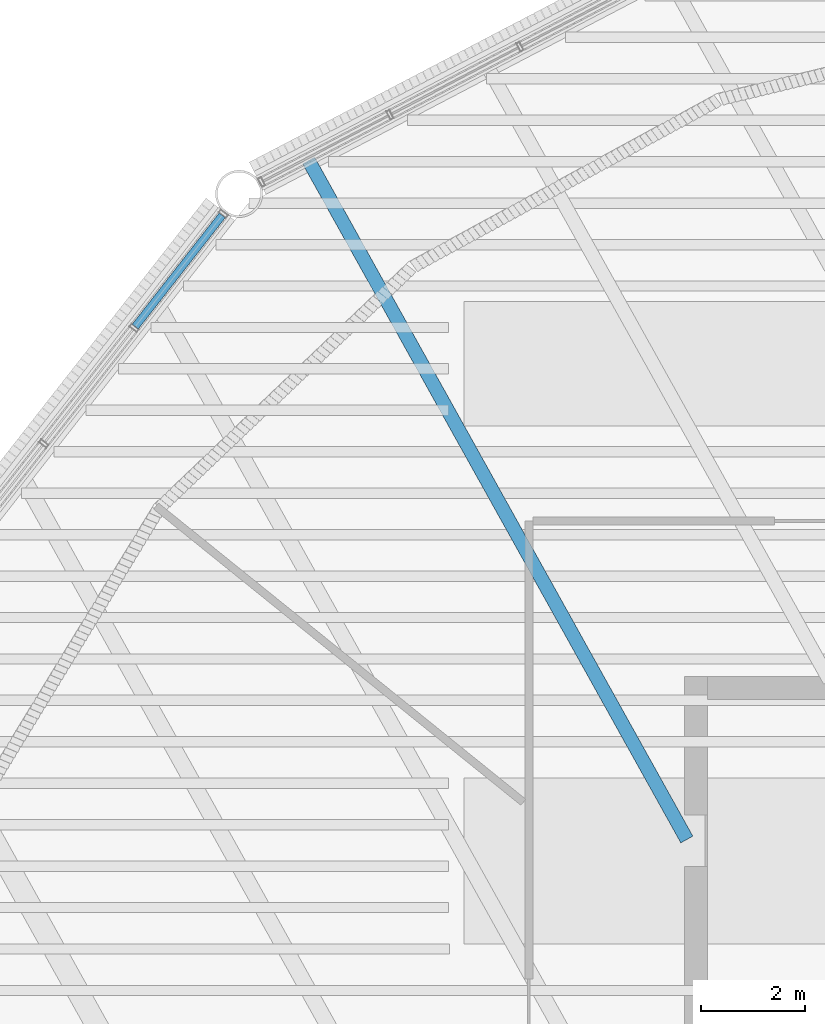
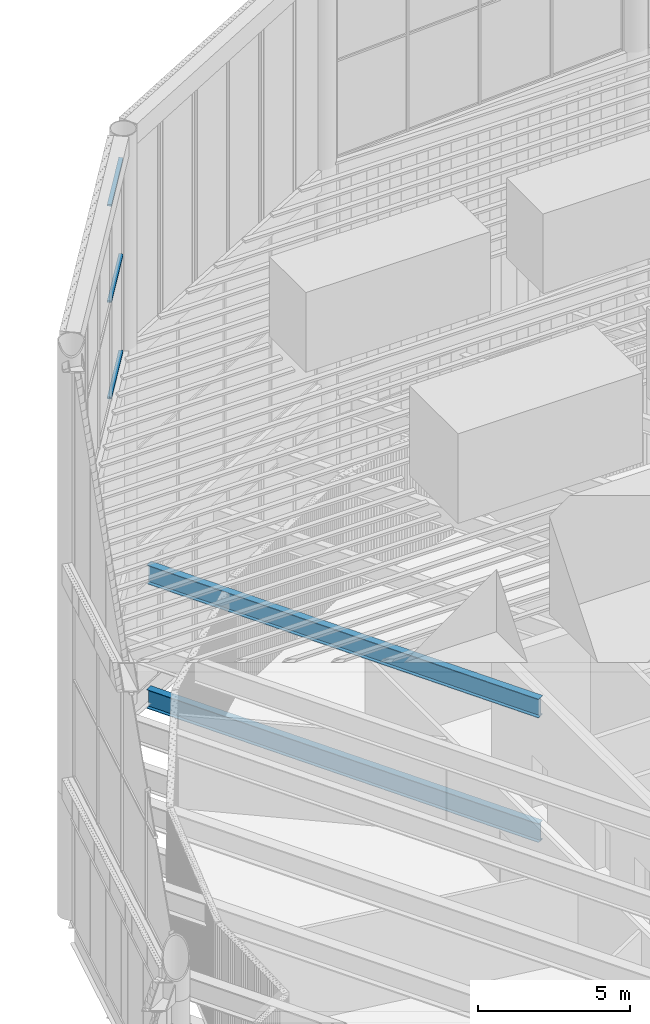
# One storey, part 46 of 117: 3 members, 2 beams, 1 element without a shape of its own.
"""IFC4 building model written with IfcOpenShell, lengths in metres."""

from ifc_helpers import new_model, si_unit, direction, frame, origin, origin_2d, place, context, subcontext, project, spatial, hollow_rectangle, i_section, extrude, material, layer, layer_set, material_profile, profile_set, type_object, element, aggregate, save


model = new_model("IFC4")

# Units and contexts
model_context = context("Model", 3, precision=1e-05, world=origin(), true_north=direction((0.0, 1.0)))
body_context = subcontext(model_context, "Body", "Model", "MODEL_VIEW")
ifc_project = project(units=[si_unit("LENGTHUNIT", "METRE"), si_unit("AREAUNIT", "SQUARE_METRE"), si_unit("VOLUMEUNIT", "CUBIC_METRE"), si_unit("PLANEANGLEUNIT", "RADIAN"), si_unit("MASSUNIT", "GRAM", prefix="KILO")], contexts=[model_context])

# Site, building, storey
site_placement = place(None, origin())
site = spatial("IfcSite", under=ifc_project, at=site_placement, CompositionType="ELEMENT")
building_placement = place(site_placement, origin())
building = spatial("IfcBuilding", under=site, at=building_placement, Name="Tarsis Ring Headquarters", CompositionType="ELEMENT")
storey_placement = place(building_placement, frame((0.0, 0.0, 403.60009765625)))
storey = spatial("IfcBuildingStorey", under=building, at=storey_placement, Name="L95", CompositionType="ELEMENT", Elevation=403.60009765625)

# Curtain wall, members
ifc_material_1 = material(Name="Aluminium curtain wall", Category="aluminium")
ifc_layer = layer(ifc_material_1, 0.179931640625)
ifc_layer_set = layer_set([ifc_layer], Name="Curtain wall crown glazing")
curtain_wall_type = type_object("IfcCurtainWallType", Name="Curtain wall crown glazing", PredefinedType="NOTDEFINED", material=ifc_layer_set)
curtain_wall_placement = place(storey_placement, origin())
curtain_wall = element("IfcCurtainWall", 1, at=curtain_wall_placement, inside=storey, type_object=curtain_wall_type, Name="Crown glazing U12", PredefinedType="NOTDEFINED")
ifc_material_2 = material(Name="Aluminium transom", Category="aluminium")
ifc_material_profile_1 = material_profile(ifc_material_2, hollow_rectangle(XDim=0.14990234375, YDim=0.070068359375, WallThickness=0.0048828125, at=origin_2d()), Name="RHS 150x70x5")
ifc_profile_set_1 = profile_set([ifc_material_profile_1], Name="Aluminium transom")
member_type = type_object("IfcMemberType", Name="Crown glazing transom RHS 150x70x5", PredefinedType="USERDEFINED", material=ifc_profile_set_1)
member_1_placement = place(storey_placement, frame((-18.9208984375, 21.900634765625, 14.434814453125), z_axis=(-0.615970431257, -0.787769273212, 0.0), x_axis=(0.787769273212, -0.615970431257, 0.0)))
member_1 = element("IfcMember", 2, at=member_1_placement, type_object=member_type, Name="CW-C transom 1.1", ObjectType="TRANSOM", PredefinedType="USERDEFINED", context=body_context, shape_type="SweptSolid", body=[
    extrude(hollow_rectangle(XDim=0.14990234375, YDim=0.070068359375, WallThickness=0.0048828125, at=origin_2d()), origin(), (0.0, 0.0, 1.0), 2.728515625),
])
member_2_placement = place(storey_placement, frame((-18.9208984375, 21.900634765625, 18.2998046875), z_axis=(-0.615970431257, -0.787769273212, 0.0), x_axis=(0.787769273212, -0.615970431257, 0.0)))
member_2 = element("IfcMember", 3, at=member_2_placement, type_object=member_type, Name="CW-C transom 1.2", ObjectType="TRANSOM", PredefinedType="USERDEFINED", context=body_context, shape_type="SweptSolid", body=[
    extrude(hollow_rectangle(XDim=0.14990234375, YDim=0.070068359375, WallThickness=0.0048828125, at=origin_2d()), origin(), (0.0, 0.0, 1.0), 2.728515625),
])
member_3_placement = place(storey_placement, frame((-18.9208984375, 21.900634765625, 22.164794921875), z_axis=(-0.615970431257, -0.787769273212, 0.0), x_axis=(0.787769273212, -0.615970431257, 0.0)))
member_3 = element("IfcMember", 4, at=member_3_placement, type_object=member_type, Name="CW-C transom 1.3", ObjectType="TRANSOM", PredefinedType="USERDEFINED", context=body_context, shape_type="SweptSolid", body=[
    extrude(hollow_rectangle(XDim=0.14990234375, YDim=0.070068359375, WallThickness=0.0048828125, at=origin_2d()), origin(), (0.0, 0.0, 1.0), 2.728515625),
])
aggregate(curtain_wall, [member_1, member_2, member_3])

# Beams
ifc_material_3 = material(Name="Structural steel S355", Category="steel")
ifc_material_profile_2 = material_profile(ifc_material_3, i_section(OverallWidth=0.2666015625, OverallDepth=0.7568359375, WebThickness=0.013916015625, FlangeThickness=0.019287109375, at=origin_2d()), Name="W30x108")
ifc_profile_set_2 = profile_set([ifc_material_profile_2], Name="Structural steel S355")
beam_type = type_object("IfcBeamType", Name="FB Floor beam W30x108", PredefinedType="JOIST", material=ifc_profile_set_2)
for number, where, z_axis, x_axis, name in (
    (5, (-17.25390625, 22.95947265625, -0.678466796875), (0.486635822212, -0.873604931614, 0.0), (0.873604931614, 0.486635822212, 0.0), "Floor beam FB6"),
    (6, (-17.25390625, 22.95947265625, 4.321533203125), (0.486635822212, -0.873604931614, 0.0), (0.873604931614, 0.486635822212, 0.0), "Floor beam FB6"),
):
    element("IfcBeam", number, at=place(storey_placement, frame(where, z_axis=z_axis, x_axis=x_axis)), inside=storey, type_object=beam_type, Name=name, PredefinedType="JOIST", context=body_context, shape_type="SweptSolid", body=[
        extrude(i_section(OverallWidth=0.2666015625, OverallDepth=0.7568359375, WebThickness=0.013916015625, FlangeThickness=0.019287109375, at=origin_2d()), origin(), (0.0, 0.0, 1.0), 15.006103515625),
    ])

save(model, "model.ifc")
